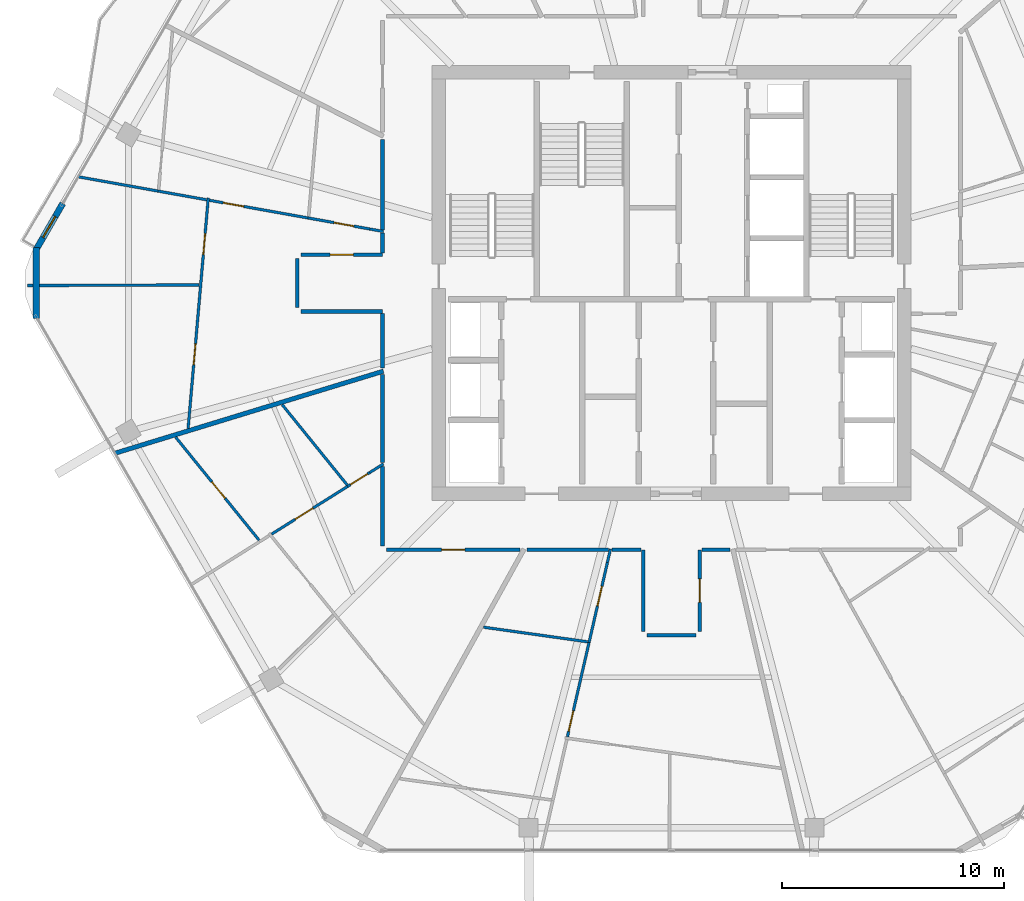
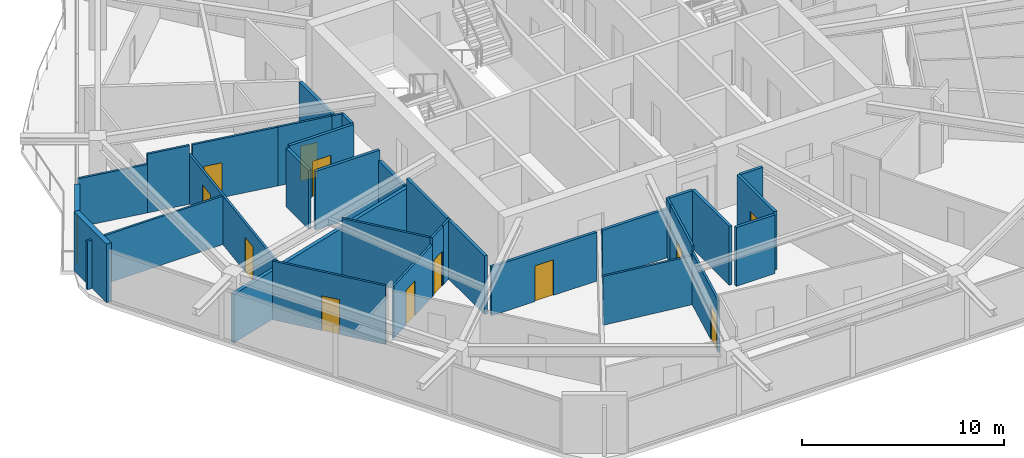
# One storey, part 18 of 26: 34 walls, 13 doors, 13 openings.
"""IFC4 building model written with IfcOpenShell, lengths in metres."""

from ifc_helpers import new_model, si_unit, direction, frame, frame_2d, origin, place, context, subcontext, project, spatial, rectangle, extrude, material, layer, layer_set, type_object, element, fill, save


model = new_model("IFC4")

# Units and contexts
model_context = context("Model", 3, precision=1e-05, world=origin(), true_north=direction((0.0, 1.0)))
body_context = subcontext(model_context, "Body", "Model", "MODEL_VIEW")
ifc_project = project(units=[si_unit("LENGTHUNIT", "METRE"), si_unit("AREAUNIT", "SQUARE_METRE"), si_unit("VOLUMEUNIT", "CUBIC_METRE"), si_unit("PLANEANGLEUNIT", "RADIAN"), si_unit("MASSUNIT", "GRAM", prefix="KILO")], contexts=[model_context])

# Site, building, storey
site_placement = place(None, origin())
site = spatial("IfcSite", under=ifc_project, at=site_placement, CompositionType="ELEMENT")
building_placement = place(site_placement, origin())
building = spatial("IfcBuilding", under=site, at=building_placement, Name="Zuhravey Tower", CompositionType="ELEMENT")
storey_placement = place(building_placement, frame((0.0, 0.0, 280.60009765625)))
storey = spatial("IfcBuildingStorey", under=building, at=storey_placement, Name="L71", CompositionType="ELEMENT", Elevation=280.60009765625)

# Wall, opening, door
ifc_material_1 = material(Name="Gypsum fire-rated stud partition")
ifc_layer_1 = layer(ifc_material_1, 0.159912109375)
ifc_layer_set_1 = layer_set([ifc_layer_1], Name="Gypsum fire-rated stud partition")
wall_type_1 = type_object("IfcWallType", Name="Corridor Fire Partition 160", PredefinedType="PARTITIONING", material=ifc_layer_set_1)
wall_1_placement = place(storey_placement, frame((22.969970703125, 33.280029296875, 0.0), z_axis=(0.0, 0.0, 1.0), x_axis=(-1.0, 0.0, 0.0)))
wall_1 = element("IfcWall", 1, at=wall_1_placement, inside=storey, type_object=wall_type_1, Name="L71 IW16 Partition 026", PredefinedType="PARTITIONING", context=body_context, shape_type="SweptSolid", body=[
    extrude(rectangle(XDim=3.669921875, YDim=0.159912109375, at=frame_2d((1.8349609375, 0.0))), origin(), (0.0, 0.0, 1.0), 3.5498046875),
])
opening_1_placement = place(wall_1_placement, frame((1.31005859375, 0.0, 0.0)))
opening_1 = element("IfcOpeningElement", 2, at=opening_1_placement, cuts=wall_1, Name="Opening APD1", PredefinedType="OPENING", context=body_context, shape_type="SweptSolid", body=[
    extrude(rectangle(XDim=1.050048828125, YDim=2.14990234375, at=frame_2d((0.52490234375, 1.074951171875))), frame((0.0, 0.092041015625, 0.0), z_axis=(0.0, -1.0, 0.0), x_axis=(1.0, 0.0, 0.0)), (0.0, 0.0, 1.0), 0.183837890625),
])
ifc_material_2 = material(Name="Solid-core oak fire-rated leaf")
door_type_1 = type_object("IfcDoorType", Name="Apartment Entrance Fire Door 1050x2150", OperationType="NOTDEFINED", PredefinedType="DOOR", material=ifc_material_2)
door_1_placement = place(opening_1_placement, origin())
door_1 = element("IfcDoor", 3, at=door_1_placement, inside=storey, type_object=door_type_1, Name="L71 Door 026.1", OperationType="SINGLE_SWING_RIGHT", OverallHeight=2.14990234375, OverallWidth=1.050048828125, PredefinedType="DOOR", context=body_context, shape_type="SweptSolid", body=[
    extrude(rectangle(XDim=1.050048828125, YDim=2.14990234375, at=frame_2d((0.52490234375, 1.074951171875))), frame((0.0, 0.02490234375, 0.0), z_axis=(0.0, -1.0, 0.0), x_axis=(1.0, 0.0, 0.0)), (0.0, 0.0, 1.0), 0.050048828125),
])
fill(opening_1, door_1)

wall_2_placement = place(storey_placement, frame((23.14990234375, 19.969970703125, 0.0), z_axis=(0.0, 0.0, 1.0), x_axis=(1.0, 0.0, 0.0)))
wall_2 = element("IfcWall", 4, at=wall_2_placement, inside=storey, type_object=wall_type_1, Name="L71 IW16 Partition 032", PredefinedType="PARTITIONING", context=body_context, shape_type="SweptSolid", body=[
    extrude(rectangle(XDim=6.02099609375, YDim=0.159912109375, at=frame_2d((3.010498046875, 0.0))), origin(), (0.0, 0.0, 1.0), 2.949951171875),
])
opening_2_placement = place(wall_2_placement, frame((2.4853515625, 0.0, 0.0)))
opening_2 = element("IfcOpeningElement", 5, at=opening_2_placement, cuts=wall_2, Name="Opening APD1", PredefinedType="OPENING", context=body_context, shape_type="SweptSolid", body=[
    extrude(rectangle(XDim=1.050048828125, YDim=2.14990234375, at=frame_2d((0.52490234375, 1.074951171875))), frame((0.0, 0.092041015625, 0.0), z_axis=(0.0, -1.0, 0.0), x_axis=(1.0, 0.0, 0.0)), (0.0, 0.0, 1.0), 0.183837890625),
])
door_2_placement = place(opening_2_placement, frame((1.050048828125, 0.0, 0.0), z_axis=(0.0, 0.0, 1.0), x_axis=(-1.0, 0.0, 0.0)))
door_2 = element("IfcDoor", 6, at=door_2_placement, inside=storey, type_object=door_type_1, Name="L71 Door 032.1", OperationType="SINGLE_SWING_RIGHT", OverallHeight=2.14990234375, OverallWidth=1.050048828125, PredefinedType="DOOR", context=body_context, shape_type="SweptSolid", body=[
    extrude(rectangle(XDim=1.050048828125, YDim=2.14990234375, at=frame_2d((0.52490234375, 1.074951171875))), frame((0.0, 0.02490234375, 0.0), z_axis=(0.0, -1.0, 0.0), x_axis=(1.0, 0.0, 0.0)), (0.0, 0.0, 1.0), 0.050048828125),
])
fill(opening_2, door_2)

wall_3_placement = place(storey_placement, frame((37.280029296875, 16.300048828125, 0.0), z_axis=(0.0, 0.0, 1.0), x_axis=(0.0, 1.0, 0.0)))
wall_3 = element("IfcWall", 7, at=wall_3_placement, inside=storey, type_object=wall_type_1, Name="L71 IW16 Partition 038", PredefinedType="PARTITIONING", context=body_context, shape_type="SweptSolid", body=[
    extrude(rectangle(XDim=3.669921875, YDim=0.159912109375, at=frame_2d((1.8349609375, 0.0))), origin(), (0.0, 0.0, 1.0), 3.5498046875),
])
opening_3_placement = place(wall_3_placement, frame((1.31005859375, 0.0, 0.0)))
opening_3 = element("IfcOpeningElement", 8, at=opening_3_placement, cuts=wall_3, Name="Opening APD1", PredefinedType="OPENING", context=body_context, shape_type="SweptSolid", body=[
    extrude(rectangle(XDim=1.050048828125, YDim=2.14990234375, at=frame_2d((0.52490234375, 1.074951171875))), frame((0.0, 0.092041015625, 0.0), z_axis=(0.0, -1.0, 0.0), x_axis=(1.0, 0.0, 0.0)), (0.0, 0.0, 1.0), 0.183837890625),
])
door_3_placement = place(opening_3_placement, origin())
door_3 = element("IfcDoor", 9, at=door_3_placement, inside=storey, type_object=door_type_1, Name="L71 Door 038.1", OperationType="SINGLE_SWING_RIGHT", OverallHeight=2.14990234375, OverallWidth=1.050048828125, PredefinedType="DOOR", context=body_context, shape_type="SweptSolid", body=[
    extrude(rectangle(XDim=1.050048828125, YDim=2.14990234375, at=frame_2d((0.52490234375, 1.074951171875))), frame((0.0, 0.02490234375, 0.0), z_axis=(0.0, -1.0, 0.0), x_axis=(1.0, 0.0, 0.0)), (0.0, 0.0, 1.0), 0.050048828125),
])
fill(opening_3, door_3)

# Walls
wall_4_placement = place(storey_placement, frame((19.300048828125, 30.719970703125, 0.0), z_axis=(0.0, 0.0, 1.0), x_axis=(1.0, 0.0, 0.0)))
element("IfcWall", 10, at=wall_4_placement, inside=storey, type_object=wall_type_1, Name="L71 IW16 Partition 114", PredefinedType="PARTITIONING", context=body_context, shape_type="SweptSolid", body=[
    extrude(rectangle(XDim=3.669921875, YDim=0.159912109375, at=frame_2d((1.8349609375, 0.0))), origin(), (0.0, 0.0, 1.0), 3.5498046875),
])
wall_5_placement = place(storey_placement, frame((22.969970703125, 30.632080078125, 0.0), z_axis=(0.0, 0.0, 1.0), x_axis=(0.0, -1.0, 0.0)))
element("IfcWall", 11, at=wall_5_placement, inside=storey, type_object=wall_type_1, Name="L71 IW16 Partition 115", PredefinedType="PARTITIONING", context=body_context, shape_type="SweptSolid", body=[
    extrude(rectangle(XDim=2.470947265625, YDim=0.159912109375, at=frame_2d((1.2353515625, 0.0))), origin(), (0.0, 0.0, 1.0), 2.949951171875),
])
wall_6_placement = place(storey_placement, frame((19.1201171875, 33.10009765625, 0.0), z_axis=(0.0, 0.0, 1.0), x_axis=(0.0, -1.0, 0.0)))
element("IfcWall", 12, at=wall_6_placement, inside=storey, type_object=wall_type_1, Name="L71 IW16 Partition 116", PredefinedType="PARTITIONING", context=body_context, shape_type="SweptSolid", body=[
    extrude(rectangle(XDim=2.2001953125, YDim=0.159912109375, at=frame_2d((1.10009765625, 0.0))), origin(), (0.0, 0.0, 1.0), 3.5498046875),
])
wall_7_placement = place(storey_placement, frame((22.969970703125, 34.26611328125, 0.0), z_axis=(0.0, 0.0, 1.0), x_axis=(0.0, -1.0, 0.0)))
element("IfcWall", 13, at=wall_7_placement, inside=storey, type_object=wall_type_1, Name="L71 IW16 Partition 117", PredefinedType="PARTITIONING", context=body_context, shape_type="SweptSolid", body=[
    extrude(rectangle(XDim=0.898193359375, YDim=0.159912109375, at=frame_2d((0.44921875, 0.0))), origin(), (0.0, 0.0, 1.0), 3.5498046875),
])
wall_8_placement = place(storey_placement, frame((22.969970703125, 38.47412109375, 0.0), z_axis=(0.0, 0.0, 1.0), x_axis=(0.0, -1.0, 0.0)))
element("IfcWall", 14, at=wall_8_placement, inside=storey, type_object=wall_type_1, Name="L71 IW16 Partition 118", PredefinedType="PARTITIONING", context=body_context, shape_type="SweptSolid", body=[
    extrude(rectangle(XDim=4.06982421875, YDim=0.159912109375, at=frame_2d((2.034912109375, 0.0))), origin(), (0.0, 0.0, 1.0), 2.949951171875),
])
wall_9_placement = place(storey_placement, frame((22.969970703125, 23.73974609375, 0.0), z_axis=(0.0, 0.0, 1.0), x_axis=(0.0, -1.0, 0.0)))
element("IfcWall", 15, at=wall_9_placement, inside=storey, type_object=wall_type_1, Name="L71 IW16 Partition 119", PredefinedType="PARTITIONING", context=body_context, shape_type="SweptSolid", body=[
    extrude(rectangle(XDim=3.58984375, YDim=0.159912109375, at=frame_2d((1.794921875, 0.0))), origin(), (0.0, 0.0, 1.0), 3.5498046875),
])
wall_10_placement = place(storey_placement, frame((22.969970703125, 27.87060546875, 0.0), z_axis=(0.0, 0.0, 1.0), x_axis=(0.0, -1.0, 0.0)))
element("IfcWall", 16, at=wall_10_placement, inside=storey, type_object=wall_type_1, Name="L71 IW16 Partition 120", PredefinedType="PARTITIONING", context=body_context, shape_type="SweptSolid", body=[
    extrude(rectangle(XDim=3.970458984375, YDim=0.159912109375, at=frame_2d((1.9853515625, 0.0))), origin(), (0.0, 0.0, 1.0), 3.5498046875),
])
wall_11_placement = place(storey_placement, frame((34.719970703125, 19.969970703125, 0.0), z_axis=(0.0, 0.0, 1.0), x_axis=(0.0, -1.0, 0.0)))
element("IfcWall", 17, at=wall_11_placement, inside=storey, type_object=wall_type_1, Name="L71 IW16 Partition 121", PredefinedType="PARTITIONING", context=body_context, shape_type="SweptSolid", body=[
    extrude(rectangle(XDim=3.669921875, YDim=0.159912109375, at=frame_2d((1.8349609375, 0.0))), origin(), (0.0, 0.0, 1.0), 3.5498046875),
])
wall_12_placement = place(storey_placement, frame((34.89990234375, 16.1201171875, 0.0), z_axis=(0.0, 0.0, 1.0), x_axis=(1.0, 0.0, 0.0)))
element("IfcWall", 18, at=wall_12_placement, inside=storey, type_object=wall_type_1, Name="L71 IW16 Partition 122", PredefinedType="PARTITIONING", context=body_context, shape_type="SweptSolid", body=[
    extrude(rectangle(XDim=2.2001953125, YDim=0.159912109375, at=frame_2d((1.10009765625, 0.0))), origin(), (0.0, 0.0, 1.0), 3.5498046875),
])
wall_13_placement = place(storey_placement, frame((33.31005859375, 19.969970703125, 0.0), z_axis=(0.0, 0.0, 1.0), x_axis=(1.0, 0.0, 0.0)))
element("IfcWall", 19, at=wall_13_placement, inside=storey, type_object=wall_type_1, Name="L71 IW16 Partition 123", PredefinedType="PARTITIONING", context=body_context, shape_type="SweptSolid", body=[
    extrude(rectangle(XDim=1.322021484375, YDim=0.159912109375, at=frame_2d((0.6611328125, 0.0))), origin(), (0.0, 0.0, 1.0), 3.5498046875),
])
wall_14_placement = place(storey_placement, frame((37.367919921875, 19.969970703125, 0.0), z_axis=(0.0, 0.0, 1.0), x_axis=(1.0, 0.0, 0.0)))
element("IfcWall", 20, at=wall_14_placement, inside=storey, type_object=wall_type_1, Name="L71 IW16 Partition 124", PredefinedType="PARTITIONING", context=body_context, shape_type="SweptSolid", body=[
    extrude(rectangle(XDim=1.278564453125, YDim=0.159912109375, at=frame_2d((0.63916015625, 0.0))), origin(), (0.0, 0.0, 1.0), 3.5498046875),
])
wall_15_placement = place(storey_placement, frame((29.490966796875, 19.969970703125, 0.0), z_axis=(0.0, 0.0, 1.0), x_axis=(1.0, 0.0, 0.0)))
element("IfcWall", 21, at=wall_15_placement, inside=storey, type_object=wall_type_1, Name="L71 IW16 Partition 125", PredefinedType="PARTITIONING", context=body_context, shape_type="SweptSolid", body=[
    extrude(rectangle(XDim=3.6796875, YDim=0.159912109375, at=frame_2d((1.83984375, 0.0))), origin(), (0.0, 0.0, 1.0), 2.949951171875),
])
ifc_material_3 = material(Name="Precast concrete C40/50", Category="concrete")
ifc_layer_2 = layer(ifc_material_3, 0.280029296875)
ifc_layer_set_2 = layer_set([ifc_layer_2], Name="Precast concrete C40/50")
wall_type_2 = type_object("IfcWallType", Name="Crown Architectural Wall 280", PredefinedType="SOLIDWALL", material=ifc_layer_set_2)
wall_16_placement = place(storey_placement, frame((7.35498046875, 30.392578125, 0.0), z_axis=(0.0, 0.0, 1.0), x_axis=(0.0, 1.0, 0.0)))
element("IfcWall", 22, at=wall_16_placement, inside=storey, type_object=wall_type_2, Name="L71 Rounded Corner Closure Wall EW28-06", PredefinedType="SOLIDWALL", context=body_context, shape_type="SweptSolid", body=[
    extrude(rectangle(XDim=3.21484375, YDim=0.280029296875, at=frame_2d((1.607421875, 0.0))), origin(), (0.0, 0.0, 1.0), 3.5498046875),
])

# Wall, opening, door
wall_17_placement = place(storey_placement, frame((7.33251953125, 33.473388671875, 0.0), z_axis=(0.0, 0.0, 1.0), x_axis=(0.499959183527, 0.866048967903, 0.0)))
wall_17 = element("IfcWall", 23, at=wall_17_placement, inside=storey, type_object=wall_type_2, Name="L71 Face 3 Facade Pier EW28-1", PredefinedType="SOLIDWALL", context=body_context, shape_type="SweptSolid", body=[
    extrude(rectangle(XDim=2.440185546875, YDim=0.280029296875, at=frame_2d((1.22021484375, 0.0))), origin(), (0.0, 0.0, 1.0), 3.5498046875),
])
opening_4_placement = place(wall_17_placement, frame((0.669921875, 0.0, 0.0)))
opening_4 = element("IfcOpeningElement", 24, at=opening_4_placement, cuts=wall_17, Name="Opening BLD1", PredefinedType="OPENING", context=body_context, shape_type="SweptSolid", body=[
    extrude(rectangle(XDim=1.10009765625, YDim=2.199951171875, at=frame_2d((0.550048828125, 1.10009765625))), frame((0.0, 0.152099609375, 0.0), z_axis=(0.0, -1.0, 0.0), x_axis=(1.0, 0.0, 0.0)), (0.0, 0.0, 1.0), 0.303955078125),
])
ifc_material_4 = material(Name="Thermally broken aluminium and low-E glass", Category="aluminium")
door_type_2 = type_object("IfcDoorType", Name="Balcony & Sky-Tray Glazed Door 1100x2200", OperationType="NOTDEFINED", PredefinedType="DOOR", material=ifc_material_4)
door_4_placement = place(opening_4_placement, frame((1.10009765625, 0.0, 0.0), z_axis=(0.0, 0.0, 1.0), x_axis=(-1.0, 0.0, 0.0)))
door_4 = element("IfcDoor", 25, at=door_4_placement, inside=storey, type_object=door_type_2, Name="L71 Face 3 Wave Balcony Door", OperationType="SINGLE_SWING_RIGHT", OverallHeight=2.199951171875, OverallWidth=1.10009765625, PredefinedType="DOOR", context=body_context, shape_type="SweptSolid", body=[
    extrude(rectangle(XDim=1.10009765625, YDim=2.199951171875, at=frame_2d((0.550048828125, 1.10009765625))), frame((0.0, 0.02490234375, 0.0), z_axis=(0.0, -1.0, 0.0), x_axis=(1.0, 0.0, 0.0)), (0.0, 0.0, 1.0), 0.050048828125),
])
fill(opening_4, door_4)

# Wall
ifc_material_5 = material(Name="Gypsum double-stud party assembly")
ifc_layer_3 = layer(ifc_material_5, 0.199951171875)
ifc_layer_set_3 = layer_set([ifc_layer_3], Name="Gypsum double-stud party assembly")
wall_type_3 = type_object("IfcWallType", Name="Inter-Tenancy Party Wall 200", PredefinedType="PARTITIONING", material=ifc_layer_set_3)
wall_18_placement = place(storey_placement, frame((23.010009765625, 28.028564453125, 0.0), z_axis=(0.0, 0.0, 1.0), x_axis=(-0.956304823796, -0.292371482852, 0.0)))
element("IfcWall", 26, at=wall_18_placement, inside=storey, type_object=wall_type_3, Name="L71 IW20 Partition 075", PredefinedType="PARTITIONING", context=body_context, shape_type="SweptSolid", body=[
    extrude(rectangle(XDim=12.65234375, YDim=0.199951171875, at=frame_2d((6.326171875, 0.0))), origin(), (0.0, 0.0, 1.0), 2.929931640625),
])

# Wall, openings, doors
ifc_material_6 = material(Name="Gypsum metal-stud partition")
ifc_layer_4 = layer(ifc_material_6, 0.1201171875)
ifc_layer_set_4 = layer_set([ifc_layer_4], Name="Gypsum metal-stud partition")
wall_type_4 = type_object("IfcWallType", Name="Unit Internal Partition 120", PredefinedType="PARTITIONING", material=ifc_layer_set_4)
wall_19_placement = place(storey_placement, frame((15.115478515625, 35.84423828125, 0.0), z_axis=(0.0, 0.0, 1.0), x_axis=(-0.087167240255, -0.996193692123, 0.0)))
wall_19 = element("IfcWall", 27, at=wall_19_placement, inside=storey, type_object=wall_type_4, Name="L71 IW12 Partition 021", PredefinedType="PARTITIONING", context=body_context, shape_type="SweptSolid", body=[
    extrude(rectangle(XDim=10.4443359375, YDim=0.1201171875, at=frame_2d((5.22216796875, 0.0))), origin(), (0.0, 0.0, 1.0), 2.949951171875),
])
opening_5_placement = place(wall_19_placement, frame((1.615966796875, 0.0, 0.0)))
opening_5 = element("IfcOpeningElement", 28, at=opening_5_placement, cuts=wall_19, Name="Opening IND1", PredefinedType="OPENING", context=body_context, shape_type="SweptSolid", body=[
    extrude(rectangle(XDim=0.949951171875, YDim=2.10009765625, at=frame_2d((0.47509765625, 1.050048828125))), frame((0.0, 0.072021484375, 0.0), z_axis=(0.0, -1.0, 0.0), x_axis=(1.0, 0.0, 0.0)), (0.0, 0.0, 1.0), 0.14404296875),
])
opening_6_placement = place(wall_19_placement, frame((6.59765625, 0.0, 0.0)))
opening_6 = element("IfcOpeningElement", 29, at=opening_6_placement, cuts=wall_19, Name="Opening IND1", PredefinedType="OPENING", context=body_context, shape_type="SweptSolid", body=[
    extrude(rectangle(XDim=0.949951171875, YDim=2.10009765625, at=frame_2d((0.47509765625, 1.050048828125))), frame((0.0, 0.072021484375, 0.0), z_axis=(0.0, -1.0, 0.0), x_axis=(1.0, 0.0, 0.0)), (0.0, 0.0, 1.0), 0.14404296875),
])
ifc_material_7 = material(Name="Painted engineered timber leaf", Category="wood")
door_type_3 = type_object("IfcDoorType", Name="Internal Room & Bedroom Door 950x2100", OperationType="NOTDEFINED", PredefinedType="DOOR", material=ifc_material_7)
door_5_placement = place(opening_5_placement, frame((0.949951171875, 0.0, 0.0), z_axis=(0.0, 0.0, 1.0), x_axis=(-1.0, 0.0, 0.0)))
door_5 = element("IfcDoor", 30, at=door_5_placement, inside=storey, type_object=door_type_3, Name="Apartment L71-01 Family Study Door", OperationType="SINGLE_SWING_LEFT", OverallHeight=2.10009765625, OverallWidth=0.949951171875, PredefinedType="DOOR", context=body_context, shape_type="SweptSolid", body=[
    extrude(rectangle(XDim=0.949951171875, YDim=2.10009765625, at=frame_2d((0.47509765625, 1.050048828125))), frame((0.0, 0.02490234375, 0.0), z_axis=(0.0, -1.0, 0.0), x_axis=(1.0, 0.0, 0.0)), (0.0, 0.0, 1.0), 0.050048828125),
])
fill(opening_5, door_5)
door_6_placement = place(opening_6_placement, frame((0.949951171875, 0.0, 0.0), z_axis=(0.0, 0.0, 1.0), x_axis=(-1.0, 0.0, 0.0)))
door_6 = element("IfcDoor", 31, at=door_6_placement, inside=storey, type_object=door_type_3, Name="Apartment L71-01 Dining Room Door", OperationType="SINGLE_SWING_RIGHT", OverallHeight=2.10009765625, OverallWidth=0.949951171875, PredefinedType="DOOR", context=body_context, shape_type="SweptSolid", body=[
    extrude(rectangle(XDim=0.949951171875, YDim=2.10009765625, at=frame_2d((0.47509765625, 1.050048828125))), frame((0.0, 0.02490234375, 0.0), z_axis=(0.0, -1.0, 0.0), x_axis=(1.0, 0.0, 0.0)), (0.0, 0.0, 1.0), 0.050048828125),
])
fill(opening_6, door_6)

# Wall, opening, door
wall_20_placement = place(storey_placement, frame((22.39990234375, 34.437255859375, 0.0), z_axis=(0.0, 0.0, 1.0), x_axis=(-0.984321470617, 0.176383793142, 0.0)))
wall_20 = element("IfcWall", 32, at=wall_20_placement, inside=storey, type_object=wall_type_4, Name="L71 IW12 Partition 022", PredefinedType="PARTITIONING", context=body_context, shape_type="SweptSolid", body=[
    extrude(rectangle(XDim=2.834716796875, YDim=0.1201171875, at=frame_2d((1.41748046875, 0.0))), origin(), (0.0, 0.0, 1.0), 3.5498046875),
])
opening_7_placement = place(wall_20_placement, frame((0.74072265625, 0.0, 0.0)))
opening_7 = element("IfcOpeningElement", 33, at=opening_7_placement, cuts=wall_20, Name="Opening WCD1", PredefinedType="OPENING", context=body_context, shape_type="SweptSolid", body=[
    extrude(rectangle(XDim=0.89990234375, YDim=2.10009765625, at=frame_2d((0.449951171875, 1.050048828125))), frame((0.0, 0.072021484375, 0.0), z_axis=(0.0, -1.0, 0.0), x_axis=(1.0, 0.0, 0.0)), (0.0, 0.0, 1.0), 0.14404296875),
])
ifc_material_8 = material(Name="Moisture-resistant timber leaf", Category="wood")
door_type_4 = type_object("IfcDoorType", Name="Bathroom & WC Internal Door 900x2100", OperationType="NOTDEFINED", PredefinedType="DOOR", material=ifc_material_8)
door_7_placement = place(opening_7_placement, frame((0.89990234375, 0.0, 0.0), z_axis=(0.0, 0.0, 1.0), x_axis=(-1.0, 0.0, 0.0)))
door_7 = element("IfcDoor", 34, at=door_7_placement, inside=storey, type_object=door_type_4, Name="Apartment L71-01 Bathroom Door", OperationType="SINGLE_SWING_LEFT", OverallHeight=2.10009765625, OverallWidth=0.89990234375, PredefinedType="DOOR", context=body_context, shape_type="SweptSolid", body=[
    extrude(rectangle(XDim=0.89990234375, YDim=2.10009765625, at=frame_2d((0.449951171875, 1.050048828125))), frame((0.0, 0.02490234375, 0.0), z_axis=(0.0, -1.0, 0.0), x_axis=(1.0, 0.0, 0.0)), (0.0, 0.0, 1.0), 0.050048828125),
])
fill(opening_7, door_7)

wall_21_placement = place(storey_placement, frame((19.609619140625, 34.937255859375, 0.0), z_axis=(0.0, 0.0, 1.0), x_axis=(-0.984317552752, 0.176405655645, 0.0)))
wall_21 = element("IfcWall", 35, at=wall_21_placement, inside=storey, type_object=wall_type_4, Name="L71 IW12 Partition 023", PredefinedType="PARTITIONING", context=body_context, shape_type="SweptSolid", body=[
    extrude(rectangle(XDim=4.506103515625, YDim=0.1201171875, at=frame_2d((2.2529296875, 0.0))), origin(), (0.0, 0.0, 1.0), 3.5498046875),
])
opening_8_placement = place(wall_21_placement, frame((2.935546875, 0.0, 0.0)))
opening_8 = element("IfcOpeningElement", 36, at=opening_8_placement, cuts=wall_21, Name="Opening IND1", PredefinedType="OPENING", context=body_context, shape_type="SweptSolid", body=[
    extrude(rectangle(XDim=0.949951171875, YDim=2.10009765625, at=frame_2d((0.47509765625, 1.050048828125))), frame((0.0, 0.072021484375, 0.0), z_axis=(0.0, -1.0, 0.0), x_axis=(1.0, 0.0, 0.0)), (0.0, 0.0, 1.0), 0.14404296875),
])
door_8_placement = place(opening_8_placement, frame((0.949951171875, 0.0, 0.0), z_axis=(0.0, 0.0, 1.0), x_axis=(-1.0, 0.0, 0.0)))
door_8 = element("IfcDoor", 37, at=door_8_placement, inside=storey, type_object=door_type_3, Name="Apartment L71-01 Home Office Door", OperationType="SINGLE_SWING_RIGHT", OverallHeight=2.10009765625, OverallWidth=0.949951171875, PredefinedType="DOOR", context=body_context, shape_type="SweptSolid", body=[
    extrude(rectangle(XDim=0.949951171875, YDim=2.10009765625, at=frame_2d((0.47509765625, 1.050048828125))), frame((0.0, 0.02490234375, 0.0), z_axis=(0.0, -1.0, 0.0), x_axis=(1.0, 0.0, 0.0)), (0.0, 0.0, 1.0), 0.050048828125),
])
fill(opening_8, door_8)

# Wall
wall_22_placement = place(storey_placement, frame((15.03955078125, 35.75634765625, 0.0), z_axis=(0.0, 0.0, 1.0), x_axis=(-0.984322452482, 0.176378313689, 0.0)))
element("IfcWall", 38, at=wall_22_placement, inside=storey, type_object=wall_type_4, Name="L71 IW12 Partition 024", PredefinedType="PARTITIONING", context=body_context, shape_type="SweptSolid", body=[
    extrude(rectangle(XDim=2.228515625, YDim=0.1201171875, at=frame_2d((1.1142578125, 0.0))), origin(), (0.0, 0.0, 1.0), 3.5498046875),
])

# Wall, opening, door
wall_23_placement = place(storey_placement, frame((22.39990234375, 23.462158203125, 0.0), z_axis=(0.0, 0.0, 1.0), x_axis=(-0.846918091409, -0.531723373987, 0.0)))
wall_23 = element("IfcWall", 39, at=wall_23_placement, inside=storey, type_object=wall_type_4, Name="L71 IW12 Partition 028", PredefinedType="PARTITIONING", context=body_context, shape_type="SweptSolid", body=[
    extrude(rectangle(XDim=1.182861328125, YDim=0.1201171875, at=frame_2d((0.59130859375, 0.0))), origin(), (0.0, 0.0, 1.0), 3.5498046875),
])
opening_9_placement = place(wall_23_placement, frame((0.127197265625, 0.0, 0.0)))
opening_9 = element("IfcOpeningElement", 40, at=opening_9_placement, cuts=wall_23, Name="Opening WCD1", PredefinedType="OPENING", context=body_context, shape_type="SweptSolid", body=[
    extrude(rectangle(XDim=0.89990234375, YDim=2.10009765625, at=frame_2d((0.449951171875, 1.050048828125))), frame((0.0, 0.072021484375, 0.0), z_axis=(0.0, -1.0, 0.0), x_axis=(1.0, 0.0, 0.0)), (0.0, 0.0, 1.0), 0.14404296875),
])
door_9_placement = place(opening_9_placement, frame((0.89990234375, 0.0, 0.0), z_axis=(0.0, 0.0, 1.0), x_axis=(-1.0, 0.0, 0.0)))
door_9 = element("IfcDoor", 41, at=door_9_placement, inside=storey, type_object=door_type_4, Name="Apartment L71-02 Bathroom Door", OperationType="SINGLE_SWING_LEFT", OverallHeight=2.10009765625, OverallWidth=0.89990234375, PredefinedType="DOOR", context=body_context, shape_type="SweptSolid", body=[
    extrude(rectangle(XDim=0.89990234375, YDim=2.10009765625, at=frame_2d((0.449951171875, 1.050048828125))), frame((0.0, 0.02490234375, 0.0), z_axis=(0.0, -1.0, 0.0), x_axis=(1.0, 0.0, 0.0)), (0.0, 0.0, 1.0), 0.050048828125),
])
fill(opening_9, door_9)

wall_24_placement = place(storey_placement, frame((21.398193359375, 22.833251953125, 0.0), z_axis=(0.0, 0.0, 1.0), x_axis=(-0.84692159597, -0.531717791953, 0.0)))
wall_24 = element("IfcWall", 42, at=wall_24_placement, inside=storey, type_object=wall_type_4, Name="L71 IW12 Partition 029", PredefinedType="PARTITIONING", context=body_context, shape_type="SweptSolid", body=[
    extrude(rectangle(XDim=4.044677734375, YDim=0.1201171875, at=frame_2d((2.0224609375, 0.0))), origin(), (0.0, 0.0, 1.0), 3.14990234375),
])
opening_10_placement = place(wall_24_placement, frame((1.843994140625, 0.0, 0.0)))
opening_10 = element("IfcOpeningElement", 43, at=opening_10_placement, cuts=wall_24, Name="Opening IND1", PredefinedType="OPENING", context=body_context, shape_type="SweptSolid", body=[
    extrude(rectangle(XDim=0.949951171875, YDim=2.10009765625, at=frame_2d((0.47509765625, 1.050048828125))), frame((0.0, 0.072021484375, 0.0), z_axis=(0.0, -1.0, 0.0), x_axis=(1.0, 0.0, 0.0)), (0.0, 0.0, 1.0), 0.14404296875),
])
door_10_placement = place(opening_10_placement, frame((0.949951171875, 0.0, 0.0), z_axis=(0.0, 0.0, 1.0), x_axis=(-1.0, 0.0, 0.0)))
door_10 = element("IfcDoor", 44, at=door_10_placement, inside=storey, type_object=door_type_3, Name="Apartment L71-02 Home Office Door", OperationType="SINGLE_SWING_RIGHT", OverallHeight=2.10009765625, OverallWidth=0.949951171875, PredefinedType="DOOR", context=body_context, shape_type="SweptSolid", body=[
    extrude(rectangle(XDim=0.949951171875, YDim=2.10009765625, at=frame_2d((0.47509765625, 1.050048828125))), frame((0.0, 0.02490234375, 0.0), z_axis=(0.0, -1.0, 0.0), x_axis=(1.0, 0.0, 0.0)), (0.0, 0.0, 1.0), 0.050048828125),
])
fill(opening_10, door_10)

wall_25_placement = place(storey_placement, frame((13.64208984375, 25.055419921875, 0.0), z_axis=(0.0, 0.0, 1.0), x_axis=(0.629353217971, -0.777119377593, 0.0)))
wall_25 = element("IfcWall", 45, at=wall_25_placement, inside=storey, type_object=wall_type_4, Name="L71 IW12 Partition 031", PredefinedType="PARTITIONING", context=body_context, shape_type="SweptSolid", body=[
    extrude(rectangle(XDim=5.98095703125, YDim=0.1201171875, at=frame_2d((2.990478515625, 0.0))), origin(), (0.0, 0.0, 1.0), 3.5498046875),
])
opening_11_placement = place(wall_25_placement, frame((2.60009765625, 0.0, 0.0)))
opening_11 = element("IfcOpeningElement", 46, at=opening_11_placement, cuts=wall_25, Name="Opening IND1", PredefinedType="OPENING", context=body_context, shape_type="SweptSolid", body=[
    extrude(rectangle(XDim=0.949951171875, YDim=2.10009765625, at=frame_2d((0.47509765625, 1.050048828125))), frame((0.0, 0.072021484375, 0.0), z_axis=(0.0, -1.0, 0.0), x_axis=(1.0, 0.0, 0.0)), (0.0, 0.0, 1.0), 0.14404296875),
])
door_11_placement = place(opening_11_placement, frame((0.949951171875, 0.0, 0.0), z_axis=(0.0, 0.0, 1.0), x_axis=(-1.0, 0.0, 0.0)))
door_11 = element("IfcDoor", 47, at=door_11_placement, inside=storey, type_object=door_type_3, Name="Apartment L71-02 Bedroom 1 Door", OperationType="SINGLE_SWING_LEFT", OverallHeight=2.10009765625, OverallWidth=0.949951171875, PredefinedType="DOOR", context=body_context, shape_type="SweptSolid", body=[
    extrude(rectangle(XDim=0.949951171875, YDim=2.10009765625, at=frame_2d((0.47509765625, 1.050048828125))), frame((0.0, 0.02490234375, 0.0), z_axis=(0.0, -1.0, 0.0), x_axis=(1.0, 0.0, 0.0)), (0.0, 0.0, 1.0), 0.050048828125),
])
fill(opening_11, door_11)

wall_26_placement = place(storey_placement, frame((33.109619140625, 19.39990234375, 0.0), z_axis=(0.0, 0.0, 1.0), x_axis=(-0.223602016725, -0.974680531311, 0.0)))
wall_26 = element("IfcWall", 48, at=wall_26_placement, inside=storey, type_object=wall_type_4, Name="L71 IW12 Partition 034", PredefinedType="PARTITIONING", context=body_context, shape_type="SweptSolid", body=[
    extrude(rectangle(XDim=3.701416015625, YDim=0.1201171875, at=frame_2d((1.8505859375, 0.0))), origin(), (0.0, 0.0, 1.0), 3.5498046875),
])
opening_12_placement = place(wall_26_placement, frame((1.1044921875, 0.0, 0.0)))
opening_12 = element("IfcOpeningElement", 49, at=opening_12_placement, cuts=wall_26, Name="Opening WCD1", PredefinedType="OPENING", context=body_context, shape_type="SweptSolid", body=[
    extrude(rectangle(XDim=0.89990234375, YDim=2.10009765625, at=frame_2d((0.449951171875, 1.050048828125))), frame((0.0, 0.072021484375, 0.0), z_axis=(0.0, -1.0, 0.0), x_axis=(1.0, 0.0, 0.0)), (0.0, 0.0, 1.0), 0.14404296875),
])
door_12_placement = place(opening_12_placement, frame((0.89990234375, 0.0, 0.0), z_axis=(0.0, 0.0, 1.0), x_axis=(-1.0, 0.0, 0.0)))
door_12 = element("IfcDoor", 50, at=door_12_placement, inside=storey, type_object=door_type_4, Name="Apartment L71-03 Bathroom Door", OperationType="SINGLE_SWING_LEFT", OverallHeight=2.10009765625, OverallWidth=0.89990234375, PredefinedType="DOOR", context=body_context, shape_type="SweptSolid", body=[
    extrude(rectangle(XDim=0.89990234375, YDim=2.10009765625, at=frame_2d((0.449951171875, 1.050048828125))), frame((0.0, 0.02490234375, 0.0), z_axis=(0.0, -1.0, 0.0), x_axis=(1.0, 0.0, 0.0)), (0.0, 0.0, 1.0), 0.050048828125),
])
fill(opening_12, door_12)

wall_27_placement = place(storey_placement, frame((32.281982421875, 15.792236328125, 0.0), z_axis=(0.0, 0.0, 1.0), x_axis=(-0.223578065354, -0.974686025699, 0.0)))
wall_27 = element("IfcWall", 51, at=wall_27_placement, inside=storey, type_object=wall_type_4, Name="L71 IW12 Partition 035", PredefinedType="PARTITIONING", context=body_context, shape_type="SweptSolid", body=[
    extrude(rectangle(XDim=4.35595703125, YDim=0.1201171875, at=frame_2d((2.177978515625, 0.0))), origin(), (0.0, 0.0, 1.0), 3.14990234375),
])
opening_13_placement = place(wall_27_placement, frame((3.15771484375, 0.0, 0.0)))
opening_13 = element("IfcOpeningElement", 52, at=opening_13_placement, cuts=wall_27, Name="Opening IND1", PredefinedType="OPENING", context=body_context, shape_type="SweptSolid", body=[
    extrude(rectangle(XDim=0.949951171875, YDim=2.10009765625, at=frame_2d((0.47509765625, 1.050048828125))), frame((0.0, 0.072021484375, 0.0), z_axis=(0.0, -1.0, 0.0), x_axis=(1.0, 0.0, 0.0)), (0.0, 0.0, 1.0), 0.14404296875),
])
door_13_placement = place(opening_13_placement, frame((0.949951171875, 0.0, 0.0), z_axis=(0.0, 0.0, 1.0), x_axis=(-1.0, 0.0, 0.0)))
door_13 = element("IfcDoor", 53, at=door_13_placement, inside=storey, type_object=door_type_3, Name="Apartment L71-03 Home Office Door", OperationType="SINGLE_SWING_RIGHT", OverallHeight=2.10009765625, OverallWidth=0.949951171875, PredefinedType="DOOR", context=body_context, shape_type="SweptSolid", body=[
    extrude(rectangle(XDim=0.949951171875, YDim=2.10009765625, at=frame_2d((0.47509765625, 1.050048828125))), frame((0.0, 0.02490234375, 0.0), z_axis=(0.0, -1.0, 0.0), x_axis=(1.0, 0.0, 0.0)), (0.0, 0.0, 1.0), 0.050048828125),
])
fill(opening_13, door_13)

# Walls
wall_28_placement = place(storey_placement, frame((14.70361328125, 31.91796875, 0.0), z_axis=(0.0, 0.0, 1.0), x_axis=(-0.99999260876, -0.003844792105, 0.0)))
element("IfcWall", 54, at=wall_28_placement, inside=storey, type_object=wall_type_4, Name="L71 IW12 Partition 071", PredefinedType="PARTITIONING", context=body_context, shape_type="SweptSolid", body=[
    extrude(rectangle(XDim=7.746826171875, YDim=0.1201171875, at=frame_2d((3.87353515625, 0.0))), origin(), (0.0, 0.0, 1.0), 2.929931640625),
])
wall_29_placement = place(storey_placement, frame((23.0146484375, 34.3271484375, 0.0), z_axis=(0.0, 0.0, 1.0), x_axis=(-0.984335630705, 0.176304753554, 0.0)))
element("IfcWall", 55, at=wall_29_placement, inside=storey, type_object=wall_type_4, Name="L71 IW12 Partition 072", PredefinedType="PARTITIONING", context=body_context, shape_type="SweptSolid", body=[
    extrude(rectangle(XDim=0.62451171875, YDim=0.1201171875, at=frame_2d((0.312255859375, 0.0))), origin(), (0.0, 0.0, 1.0), 3.5498046875),
])
wall_30_placement = place(storey_placement, frame((12.845947265625, 36.1494140625, 0.0), z_axis=(0.0, 0.0, 1.0), x_axis=(-0.984314332116, 0.176423625375, 0.0)))
element("IfcWall", 56, at=wall_30_placement, inside=storey, type_object=wall_type_4, Name="L71 IW12 Partition 073", PredefinedType="PARTITIONING", context=body_context, shape_type="SweptSolid", body=[
    extrude(rectangle(XDim=3.657470703125, YDim=0.1201171875, at=frame_2d((1.82861328125, 0.0))), origin(), (0.0, 0.0, 1.0), 2.929931640625),
])
wall_31_placement = place(storey_placement, frame((23.014892578125, 23.84814453125, 0.0), z_axis=(0.0, 0.0, 1.0), x_axis=(-0.846995618637, -0.531599870212, 0.0)))
element("IfcWall", 57, at=wall_31_placement, inside=storey, type_object=wall_type_4, Name="L71 IW12 Partition 077", PredefinedType="PARTITIONING", context=body_context, shape_type="SweptSolid", body=[
    extrude(rectangle(XDim=0.72607421875, YDim=0.1201171875, at=frame_2d((0.363037109375, 0.0))), origin(), (0.0, 0.0, 1.0), 3.5498046875),
])
wall_32_placement = place(storey_placement, frame((18.445068359375, 26.52001953125, 0.0), z_axis=(0.0, 0.0, 1.0), x_axis=(0.629305271461, -0.777158204815, 0.0)))
element("IfcWall", 58, at=wall_32_placement, inside=storey, type_object=wall_type_4, Name="L71 IW12 Partition 079", PredefinedType="PARTITIONING", context=body_context, shape_type="SweptSolid", body=[
    extrude(rectangle(XDim=4.658203125, YDim=0.1201171875, at=frame_2d((2.3291015625, 0.0))), origin(), (0.0, 0.0, 1.0), 3.5498046875),
])
wall_33_placement = place(storey_placement, frame((33.25048828125, 20.014404296875, 0.0), z_axis=(0.0, 0.0, 1.0), x_axis=(-0.223445142746, -0.974716506572, 0.0)))
element("IfcWall", 59, at=wall_33_placement, inside=storey, type_object=wall_type_4, Name="L71 IW12 Partition 082", PredefinedType="PARTITIONING", context=body_context, shape_type="SweptSolid", body=[
    extrude(rectangle(XDim=0.63037109375, YDim=0.1201171875, at=frame_2d((0.315185546875, 0.0))), origin(), (0.0, 0.0, 1.0), 3.5498046875),
])
wall_34_placement = place(storey_placement, frame((27.52392578125, 16.486083984375, 0.0), z_axis=(0.0, 0.0, 1.0), x_axis=(0.990277311459, -0.139107319759, 0.0)))
element("IfcWall", 60, at=wall_34_placement, inside=storey, type_object=wall_type_4, Name="L71 IW12 Partition 084", PredefinedType="PARTITIONING", context=body_context, shape_type="SweptSolid", body=[
    extrude(rectangle(XDim=4.7421875, YDim=0.1201171875, at=frame_2d((2.37109375, 0.0))), origin(), (0.0, 0.0, 1.0), 2.949951171875),
])

save(model, "model.ifc")
